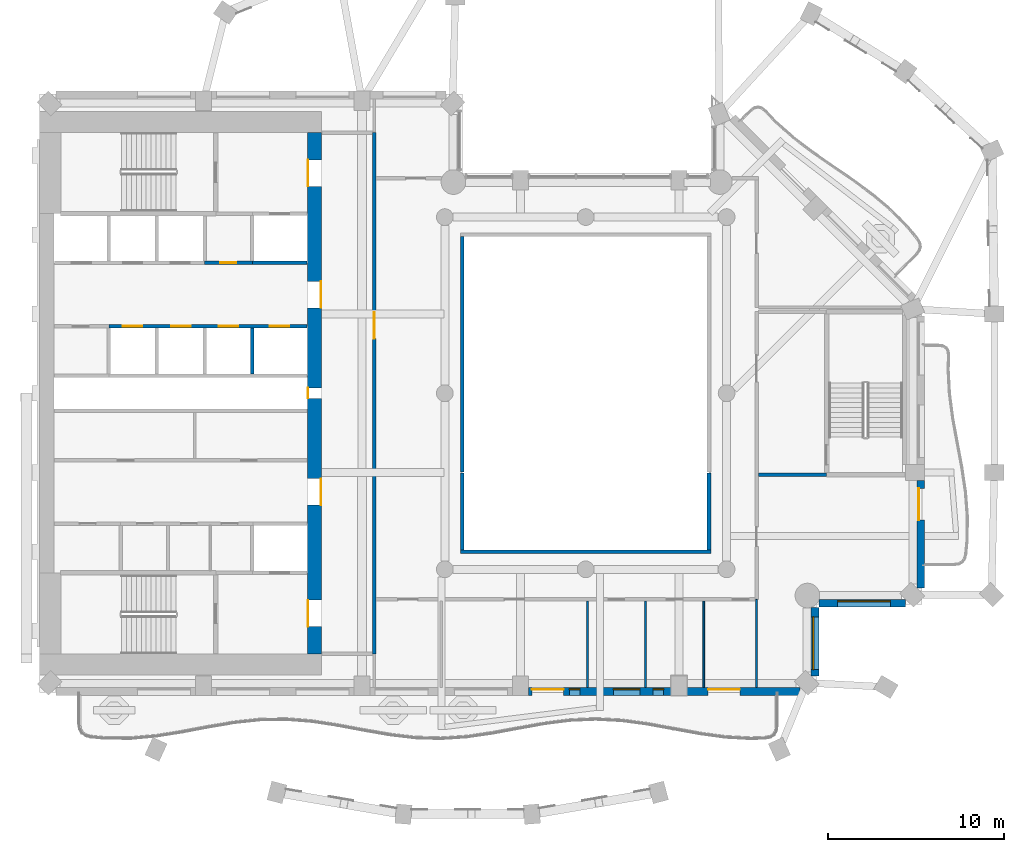
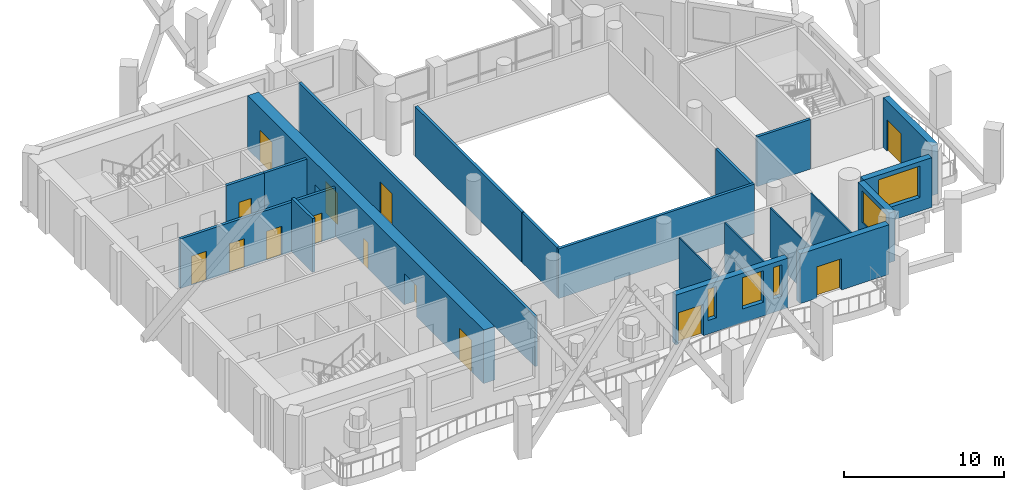
# One storey, part 5 of 17: 20 walls, 14 doors, 5 windows, 19 openings.
"""IFC4 building model written with IfcOpenShell, lengths in metres."""

from ifc_helpers import new_model, si_unit, direction, frame, frame_2d, origin, place, context, subcontext, project, spatial, rectangle, extrude, material, layer, layer_set, type_object, element, fill, save


model = new_model("IFC4")

# Units and contexts
model_context = context("Model", 3, precision=1e-05, world=origin(), true_north=direction((0.0, 1.0)))
body_context = subcontext(model_context, "Body", "Model", "MODEL_VIEW")
ifc_project = project(units=[si_unit("LENGTHUNIT", "METRE"), si_unit("AREAUNIT", "SQUARE_METRE"), si_unit("VOLUMEUNIT", "CUBIC_METRE"), si_unit("PLANEANGLEUNIT", "RADIAN"), si_unit("MASSUNIT", "GRAM", prefix="KILO")], contexts=[model_context])

# Site, building, storey
site_placement = place(None, origin())
site = spatial("IfcSite", under=ifc_project, at=site_placement, CompositionType="ELEMENT")
building_placement = place(site_placement, origin())
building = spatial("IfcBuilding", under=site, at=building_placement, Name="Cypress Arch Tower", CompositionType="ELEMENT")
storey_placement = place(building_placement, frame((0.0, 0.0, 217.89990234375)))
storey = spatial("IfcBuildingStorey", under=building, at=storey_placement, Name="L48", CompositionType="ELEMENT", Elevation=217.89990234375)

# Wall, openings, door, windows
ifc_material_1 = material(Name="Brick (red buff blend)", Category="masonry")
ifc_layer_1 = layer(ifc_material_1, 0.449951171875)
ifc_layer_set_1 = layer_set([ifc_layer_1], Name="Brick pier and spandrel wall BW450")
wall_type_1 = type_object("IfcWallType", Name="Brick pier and spandrel wall BW450", PredefinedType="SOLIDWALL", material=ifc_layer_set_1)
wall_1_placement = place(storey_placement, frame((-2.25, -16.925048828125, 0.0), z_axis=(0.0, 0.0, 1.0), x_axis=(1.0, 0.0, 0.0)))
wall_1 = element("IfcWall", 1, at=wall_1_placement, inside=storey, type_object=wall_type_1, Name="Brick wall L48 B01.3", PredefinedType="SOLIDWALL", context=body_context, shape_type="SweptSolid", body=[
    extrude(rectangle(XDim=8.10009765625, YDim=0.449951171875, at=frame_2d((4.050048828125, 0.0))), origin(), (0.0, 0.0, 1.0), 3.800048828125),
])
opening_1_placement = place(wall_1_placement, frame((0.199951171875, 0.0, 0.0)))
opening_1 = element("IfcOpeningElement", 2, at=opening_1_placement, cuts=wall_1, Name="Opening D-L48-B01.3.1", PredefinedType="OPENING", context=body_context, shape_type="SweptSolid", body=[
    extrude(rectangle(XDim=1.800048828125, YDim=2.39990234375, at=frame_2d((0.89990234375, 1.199951171875))), frame((0.0, 0.23486328125, 0.0), z_axis=(0.0, -1.0, 0.0), x_axis=(1.0, 0.0, 0.0)), (0.0, 0.0, 1.0), 0.469970703125),
])
opening_2_placement = place(wall_1_placement, frame((2.324951171875, 0.0, 1.050048828125)))
opening_2 = element("IfcOpeningElement", 3, at=opening_2_placement, cuts=wall_1, Name="Opening W060OD", PredefinedType="OPENING", context=body_context, shape_type="SweptSolid", body=[
    extrude(rectangle(XDim=0.60009765625, YDim=2.39990234375, at=frame_2d((0.300048828125, 1.199951171875))), frame((0.0, 0.23486328125, 0.0), z_axis=(0.0, -1.0, 0.0), x_axis=(1.0, 0.0, 0.0)), (0.0, 0.0, 1.0), 0.469970703125),
])
opening_3_placement = place(wall_1_placement, frame((4.824951171875, 0.0, 1.050048828125)))
opening_3 = element("IfcOpeningElement", 4, at=opening_3_placement, cuts=wall_1, Name="Opening W150OD", PredefinedType="OPENING", context=body_context, shape_type="SweptSolid", body=[
    extrude(rectangle(XDim=1.5, YDim=2.39990234375, at=frame_2d((0.75, 1.199951171875))), frame((0.0, 0.23486328125, 0.0), z_axis=(0.0, -1.0, 0.0), x_axis=(1.0, 0.0, 0.0)), (0.0, 0.0, 1.0), 0.469970703125),
])
opening_4_placement = place(wall_1_placement, frame((7.074951171875, 0.0, 1.050048828125)))
opening_4 = element("IfcOpeningElement", 5, at=opening_4_placement, cuts=wall_1, Name="Opening W060OD", PredefinedType="OPENING", context=body_context, shape_type="SweptSolid", body=[
    extrude(rectangle(XDim=0.60009765625, YDim=2.39990234375, at=frame_2d((0.300048828125, 1.199951171875))), frame((0.0, 0.23486328125, 0.0), z_axis=(0.0, -1.0, 0.0), x_axis=(1.0, 0.0, 0.0)), (0.0, 0.0, 1.0), 0.469970703125),
])
ifc_material_2 = material(Name="Anodised aluminium, bronze finish, laminated low-emissivity double glazing, large-missile impact rated", Category="aluminium")
door_type_1 = type_object("IfcDoorType", Name="Balcony sliding door 1800x2400", OperationType="SLIDING_TO_LEFT", PredefinedType="DOOR", material=ifc_material_2)
door_1_placement = place(opening_1_placement, origin())
door_1 = element("IfcDoor", 6, at=door_1_placement, inside=storey, type_object=door_type_1, Name="Balcony door L48 B01.3.1", OperationType="SLIDING_TO_LEFT", OverallHeight=2.39990234375, OverallWidth=1.800048828125, PredefinedType="DOOR", context=body_context, shape_type="SweptSolid", body=[
    extrude(rectangle(XDim=1.800048828125, YDim=2.39990234375, at=frame_2d((0.89990234375, 1.199951171875))), frame((0.0, 0.1298828125, 0.0), z_axis=(0.0, -1.0, 0.0), x_axis=(1.0, 0.0, 0.0)), (0.0, 0.0, 1.0), 0.050048828125),
])
fill(opening_1, door_1)
ifc_material_3 = material(Name="Anodised aluminium, bronze finish, laminated low-emissivity double glazing, large-missile impact rated", Category="aluminium")
window_type_1 = type_object("IfcWindowType", Name="Window Office 1500x2400 debris-rated", PartitioningType="SINGLE_PANEL", PredefinedType="WINDOW", material=ifc_material_3)
window_1_placement = place(opening_3_placement, origin())
window_1 = element("IfcWindow", 7, at=window_1_placement, inside=storey, type_object=window_type_1, Name="Window L48 B01.3.2", OverallHeight=2.39990234375, OverallWidth=1.5, PartitioningType="SINGLE_PANEL", PredefinedType="WINDOW", context=body_context, shape_type="SweptSolid", body=[
    extrude(rectangle(XDim=1.5, YDim=2.39990234375, at=frame_2d((0.75, 1.199951171875))), frame((0.0, 0.135009765625, 0.0), z_axis=(0.0, -1.0, 0.0), x_axis=(1.0, 0.0, 0.0)), (0.0, 0.0, 1.0), 0.06005859375),
])
fill(opening_3, window_1)
ifc_material_4 = material(Name="Anodised aluminium, bronze finish, laminated low-emissivity double glazing, large-missile impact rated", Category="aluminium")
window_type_2 = type_object("IfcWindowType", Name="Window Office 600x2400 debris-rated", PartitioningType="SINGLE_PANEL", PredefinedType="WINDOW", material=ifc_material_4)
window_2_placement = place(opening_2_placement, origin())
window_2 = element("IfcWindow", 8, at=window_2_placement, inside=storey, type_object=window_type_2, Name="Window L48 B01.3.1", OverallHeight=2.39990234375, OverallWidth=0.60009765625, PartitioningType="SINGLE_PANEL", PredefinedType="WINDOW", context=body_context, shape_type="SweptSolid", body=[
    extrude(rectangle(XDim=0.60009765625, YDim=2.39990234375, at=frame_2d((0.300048828125, 1.199951171875))), frame((0.0, 0.135009765625, 0.0), z_axis=(0.0, -1.0, 0.0), x_axis=(1.0, 0.0, 0.0)), (0.0, 0.0, 1.0), 0.06005859375),
])
fill(opening_2, window_2)
window_3_placement = place(opening_4_placement, origin())
window_3 = element("IfcWindow", 9, at=window_3_placement, inside=storey, type_object=window_type_2, Name="Window L48 B01.3.2b", OverallHeight=2.39990234375, OverallWidth=0.60009765625, PartitioningType="SINGLE_PANEL", PredefinedType="WINDOW", context=body_context, shape_type="SweptSolid", body=[
    extrude(rectangle(XDim=0.60009765625, YDim=2.39990234375, at=frame_2d((0.300048828125, 1.199951171875))), frame((0.0, 0.135009765625, 0.0), z_axis=(0.0, -1.0, 0.0), x_axis=(1.0, 0.0, 0.0)), (0.0, 0.0, 1.0), 0.06005859375),
])
fill(opening_4, window_3)

# Wall, opening, door
wall_2_placement = place(storey_placement, frame((6.75, -16.925048828125, 0.0), z_axis=(0.0, 0.0, 1.0), x_axis=(1.0, 0.0, 0.0)))
wall_2 = element("IfcWall", 10, at=wall_2_placement, inside=storey, type_object=wall_type_1, Name="Brick wall L48 B01.4", PredefinedType="SOLIDWALL", context=body_context, shape_type="SweptSolid", body=[
    extrude(rectangle(XDim=6.41357421875, YDim=0.449951171875, at=frame_2d((3.206787109375, 0.0))), origin(), (0.0, 0.0, 1.0), 3.800048828125),
])
opening_5_placement = place(wall_2_placement, frame((1.199951171875, 0.0, 0.0)))
opening_5 = element("IfcOpeningElement", 11, at=opening_5_placement, cuts=wall_2, Name="Opening D-L48-B01.4.1", PredefinedType="OPENING", context=body_context, shape_type="SweptSolid", body=[
    extrude(rectangle(XDim=1.800048828125, YDim=2.39990234375, at=frame_2d((0.89990234375, 1.199951171875))), frame((0.0, 0.23486328125, 0.0), z_axis=(0.0, -1.0, 0.0), x_axis=(1.0, 0.0, 0.0)), (0.0, 0.0, 1.0), 0.469970703125),
])
door_2_placement = place(opening_5_placement, origin())
door_2 = element("IfcDoor", 12, at=door_2_placement, inside=storey, type_object=door_type_1, Name="Balcony door L48 B01.4.1", OperationType="SLIDING_TO_LEFT", OverallHeight=2.39990234375, OverallWidth=1.800048828125, PredefinedType="DOOR", context=body_context, shape_type="SweptSolid", body=[
    extrude(rectangle(XDim=1.800048828125, YDim=2.39990234375, at=frame_2d((0.89990234375, 1.199951171875))), frame((0.0, 0.1298828125, 0.0), z_axis=(0.0, -1.0, 0.0), x_axis=(1.0, 0.0, 0.0)), (0.0, 0.0, 1.0), 0.050048828125),
])
fill(opening_5, door_2)

# Wall, opening, window
wall_3_placement = place(storey_placement, frame((14.02490234375, -16.063720703125, 0.0), z_axis=(0.0, 0.0, 1.0), x_axis=(0.0, 1.0, 0.0)))
wall_3 = element("IfcWall", 13, at=wall_3_placement, inside=storey, type_object=wall_type_1, Name="Brick wall L48 B02.0", PredefinedType="SOLIDWALL", context=body_context, shape_type="SweptSolid", body=[
    extrude(rectangle(XDim=3.9091796875, YDim=0.449951171875, at=frame_2d((1.95458984375, 0.0))), origin(), (0.0, 0.0, 1.0), 3.800048828125),
])
opening_6_placement = place(wall_3_placement, frame((0.363525390625, 0.0, 1.050048828125)))
opening_6 = element("IfcOpeningElement", 14, at=opening_6_placement, cuts=wall_3, Name="Opening W300O", PredefinedType="OPENING", context=body_context, shape_type="SweptSolid", body=[
    extrude(rectangle(XDim=3.0, YDim=2.39990234375, at=frame_2d((1.5, 1.199951171875))), frame((0.0, 0.23486328125, 0.0), z_axis=(0.0, -1.0, 0.0), x_axis=(1.0, 0.0, 0.0)), (0.0, 0.0, 1.0), 0.469970703125),
])
ifc_material_5 = material(Name="Anodised aluminium, bronze finish, clear low-emissivity double glazing", Category="aluminium")
window_type_3 = type_object("IfcWindowType", Name="Window Office 3000x2400", PartitioningType="SINGLE_PANEL", PredefinedType="WINDOW", material=ifc_material_5)
window_4_placement = place(opening_6_placement, origin())
window_4 = element("IfcWindow", 15, at=window_4_placement, inside=storey, type_object=window_type_3, Name="Window L48 B02.0.1", OverallHeight=2.39990234375, OverallWidth=3.0, PartitioningType="SINGLE_PANEL", PredefinedType="WINDOW", context=body_context, shape_type="SweptSolid", body=[
    extrude(rectangle(XDim=3.0, YDim=2.39990234375, at=frame_2d((1.5, 1.199951171875))), frame((0.0, 0.135009765625, 0.0), z_axis=(0.0, -1.0, 0.0), x_axis=(1.0, 0.0, 0.0)), (0.0, 0.0, 1.0), 0.06005859375),
])
fill(opening_6, window_4)

wall_4_placement = place(storey_placement, frame((14.254638671875, -11.925048828125, 0.0), z_axis=(0.0, 0.0, 1.0), x_axis=(1.0, 0.0, 0.0)))
wall_4 = element("IfcWall", 16, at=wall_4_placement, inside=storey, type_object=wall_type_1, Name="Brick wall L48 B03.0", PredefinedType="SOLIDWALL", context=body_context, shape_type="SweptSolid", body=[
    extrude(rectangle(XDim=4.908935546875, YDim=0.449951171875, at=frame_2d((2.45458984375, 0.0))), origin(), (0.0, 0.0, 1.0), 3.800048828125),
])
opening_7_placement = place(wall_4_placement, frame((1.04541015625, 0.0, 1.050048828125)))
opening_7 = element("IfcOpeningElement", 17, at=opening_7_placement, cuts=wall_4, Name="Opening W300O", PredefinedType="OPENING", context=body_context, shape_type="SweptSolid", body=[
    extrude(rectangle(XDim=3.0, YDim=2.39990234375, at=frame_2d((1.5, 1.199951171875))), frame((0.0, 0.23486328125, 0.0), z_axis=(0.0, -1.0, 0.0), x_axis=(1.0, 0.0, 0.0)), (0.0, 0.0, 1.0), 0.469970703125),
])
window_5_placement = place(opening_7_placement, origin())
window_5 = element("IfcWindow", 18, at=window_5_placement, inside=storey, type_object=window_type_3, Name="Window L48 B03.0.1", OverallHeight=2.39990234375, OverallWidth=3.0, PartitioningType="SINGLE_PANEL", PredefinedType="WINDOW", context=body_context, shape_type="SweptSolid", body=[
    extrude(rectangle(XDim=3.0, YDim=2.39990234375, at=frame_2d((1.5, 1.199951171875))), frame((0.0, 0.135009765625, 0.0), z_axis=(0.0, -1.0, 0.0), x_axis=(1.0, 0.0, 0.0)), (0.0, 0.0, 1.0), 0.06005859375),
])
fill(opening_7, window_5)

# Wall, opening, door
wall_5_placement = place(storey_placement, frame((20.02490234375, -11.063720703125, 0.0), z_axis=(0.0, 0.0, 1.0), x_axis=(0.0, 1.0, 0.0)))
wall_5 = element("IfcWall", 19, at=wall_5_placement, inside=storey, type_object=wall_type_1, Name="Brick wall L48 B04.0", PredefinedType="SOLIDWALL", context=body_context, shape_type="SweptSolid", body=[
    extrude(rectangle(XDim=6.11376953125, YDim=0.449951171875, at=frame_2d((3.056884765625, 0.0))), origin(), (0.0, 0.0, 1.0), 3.800048828125),
])
opening_8_placement = place(wall_5_placement, frame((3.863525390625, 0.0, 0.0)))
opening_8 = element("IfcOpeningElement", 20, at=opening_8_placement, cuts=wall_5, Name="Opening D-L48-B04.0.2", PredefinedType="OPENING", context=body_context, shape_type="SweptSolid", body=[
    extrude(rectangle(XDim=1.800048828125, YDim=2.39990234375, at=frame_2d((0.89990234375, 1.199951171875))), frame((0.0, 0.23486328125, 0.0), z_axis=(0.0, -1.0, 0.0), x_axis=(1.0, 0.0, 0.0)), (0.0, 0.0, 1.0), 0.469970703125),
])
door_3_placement = place(opening_8_placement, origin())
door_3 = element("IfcDoor", 21, at=door_3_placement, inside=storey, type_object=door_type_1, Name="Balcony door L48 B04.0.2", OperationType="SLIDING_TO_LEFT", OverallHeight=2.39990234375, OverallWidth=1.800048828125, PredefinedType="DOOR", context=body_context, shape_type="SweptSolid", body=[
    extrude(rectangle(XDim=1.800048828125, YDim=2.39990234375, at=frame_2d((0.89990234375, 1.199951171875))), frame((0.0, 0.1298828125, 0.0), z_axis=(0.0, -1.0, 0.0), x_axis=(1.0, 0.0, 0.0)), (0.0, 0.0, 1.0), 0.050048828125),
])
fill(opening_8, door_3)

# Wall, openings, doors
ifc_material_6 = material(Name="Concrete C70/85", Category="concrete")
ifc_layer_2 = layer(ifc_material_6, 0.800048828125)
ifc_layer_set_2 = layer_set([ifc_layer_2], Name="Core wall CW800 C70/85")
wall_type_2 = type_object("IfcWallType", Name="Core wall CW800 C70/85", PredefinedType="SHEAR", material=ifc_layer_set_2)
wall_6_placement = place(storey_placement, frame((-14.39990234375, -14.800048828125, 0.0), z_axis=(0.0, 0.0, 1.0), x_axis=(0.0, 1.0, 0.0)))
wall_6 = element("IfcWall", 22, at=wall_6_placement, inside=storey, type_object=wall_type_2, Name="Core wall", PredefinedType="SHEAR", context=body_context, shape_type="SweptSolid", body=[
    extrude(rectangle(XDim=29.60009765625, YDim=0.800048828125, at=frame_2d((14.800048828125, 0.0))), origin(), (0.0, 0.0, 1.0), 4.10009765625),
])
opening_9_placement = place(wall_6_placement, frame((1.550048828125, 0.0, 0.0)))
opening_9 = element("IfcOpeningElement", 23, at=opening_9_placement, cuts=wall_6, Name="Opening D07", PredefinedType="OPENING", context=body_context, shape_type="SweptSolid", body=[
    extrude(rectangle(XDim=1.5, YDim=2.39990234375, at=frame_2d((0.75, 1.199951171875))), frame((0.0, 0.409912109375, 0.0), z_axis=(0.0, -1.0, 0.0), x_axis=(1.0, 0.0, 0.0)), (0.0, 0.0, 1.0), 0.820068359375),
])
opening_10_placement = place(wall_6_placement, frame((26.550048828125, 0.0, 0.0)))
opening_10 = element("IfcOpeningElement", 24, at=opening_10_placement, cuts=wall_6, Name="Opening D07", PredefinedType="OPENING", context=body_context, shape_type="SweptSolid", body=[
    extrude(rectangle(XDim=1.5, YDim=2.39990234375, at=frame_2d((0.75, 1.199951171875))), frame((0.0, 0.409912109375, 0.0), z_axis=(0.0, -1.0, 0.0), x_axis=(1.0, 0.0, 0.0)), (0.0, 0.0, 1.0), 0.820068359375),
])
opening_11_placement = place(wall_6_placement, frame((8.449951171875, 0.0, 0.0)))
opening_11 = element("IfcOpeningElement", 25, at=opening_11_placement, cuts=wall_6, Name="Opening D07", PredefinedType="OPENING", context=body_context, shape_type="SweptSolid", body=[
    extrude(rectangle(XDim=1.5, YDim=2.39990234375, at=frame_2d((0.75, 1.199951171875))), frame((0.0, 0.409912109375, 0.0), z_axis=(0.0, -1.0, 0.0), x_axis=(1.0, 0.0, 0.0)), (0.0, 0.0, 1.0), 0.820068359375),
])
opening_12_placement = place(wall_6_placement, frame((19.64990234375, 0.0, 0.0)))
opening_12 = element("IfcOpeningElement", 26, at=opening_12_placement, cuts=wall_6, Name="Opening D07", PredefinedType="OPENING", context=body_context, shape_type="SweptSolid", body=[
    extrude(rectangle(XDim=1.5, YDim=2.39990234375, at=frame_2d((0.75, 1.199951171875))), frame((0.0, 0.409912109375, 0.0), z_axis=(0.0, -1.0, 0.0), x_axis=(1.0, 0.0, 0.0)), (0.0, 0.0, 1.0), 0.820068359375),
])
opening_13_placement = place(wall_6_placement, frame((14.5, 0.0, 0.0)))
opening_13 = element("IfcOpeningElement", 27, at=opening_13_placement, cuts=wall_6, Name="Opening D08", PredefinedType="OPENING", context=body_context, shape_type="SweptSolid", body=[
    extrude(rectangle(XDim=0.60009765625, YDim=2.0, at=frame_2d((0.300048828125, 1.0))), frame((0.0, 0.409912109375, 0.0), z_axis=(0.0, -1.0, 0.0), x_axis=(1.0, 0.0, 0.0)), (0.0, 0.0, 1.0), 0.820068359375),
])
ifc_material_7 = material(Name="Steel framed glazed door, fire resisting", Category="steel")
door_type_2 = type_object("IfcDoorType", Name="Lobby door D07 1500x2400", OperationType="DOUBLE_DOOR_SINGLE_SWING", PredefinedType="DOOR", material=ifc_material_7)
door_4_placement = place(opening_9_placement, origin())
door_4 = element("IfcDoor", 28, at=door_4_placement, inside=storey, type_object=door_type_2, Name="Lobby door", OperationType="DOUBLE_DOOR_SINGLE_SWING", OverallHeight=2.39990234375, OverallWidth=1.5, PredefinedType="DOOR", context=body_context, shape_type="SweptSolid", body=[
    extrude(rectangle(XDim=1.5, YDim=2.39990234375, at=frame_2d((0.75, 1.199951171875))), frame((0.0, 0.39501953125, 0.0), z_axis=(0.0, -1.0, 0.0), x_axis=(1.0, 0.0, 0.0)), (0.0, 0.0, 1.0), 0.050048828125),
])
fill(opening_9, door_4)
door_5_placement = place(opening_10_placement, origin())
door_5 = element("IfcDoor", 29, at=door_5_placement, inside=storey, type_object=door_type_2, Name="Lobby door", OperationType="DOUBLE_DOOR_SINGLE_SWING", OverallHeight=2.39990234375, OverallWidth=1.5, PredefinedType="DOOR", context=body_context, shape_type="SweptSolid", body=[
    extrude(rectangle(XDim=1.5, YDim=2.39990234375, at=frame_2d((0.75, 1.199951171875))), frame((0.0, 0.39501953125, 0.0), z_axis=(0.0, -1.0, 0.0), x_axis=(1.0, 0.0, 0.0)), (0.0, 0.0, 1.0), 0.050048828125),
])
fill(opening_10, door_5)
door_6_placement = place(opening_11_placement, origin())
door_6 = element("IfcDoor", 30, at=door_6_placement, inside=storey, type_object=door_type_2, Name="Lobby door", OperationType="DOUBLE_DOOR_SINGLE_SWING", OverallHeight=2.39990234375, OverallWidth=1.5, PredefinedType="DOOR", context=body_context, shape_type="SweptSolid", body=[
    extrude(rectangle(XDim=1.5, YDim=2.39990234375, at=frame_2d((0.75, 1.199951171875))), frame((0.0, -0.34521484375, 0.0), z_axis=(0.0, -1.0, 0.0), x_axis=(1.0, 0.0, 0.0)), (0.0, 0.0, 1.0), 0.050048828125),
])
fill(opening_11, door_6)
door_7_placement = place(opening_12_placement, origin())
door_7 = element("IfcDoor", 31, at=door_7_placement, inside=storey, type_object=door_type_2, Name="Lobby door", OperationType="DOUBLE_DOOR_SINGLE_SWING", OverallHeight=2.39990234375, OverallWidth=1.5, PredefinedType="DOOR", context=body_context, shape_type="SweptSolid", body=[
    extrude(rectangle(XDim=1.5, YDim=2.39990234375, at=frame_2d((0.75, 1.199951171875))), frame((0.0, -0.34521484375, 0.0), z_axis=(0.0, -1.0, 0.0), x_axis=(1.0, 0.0, 0.0)), (0.0, 0.0, 1.0), 0.050048828125),
])
fill(opening_12, door_7)
ifc_material_8 = material(Name="Steel access door, fire resisting", Category="steel")
door_type_3 = type_object("IfcDoorType", Name="Riser access door D08 600x2000", OperationType="SINGLE_SWING_LEFT", PredefinedType="DOOR", material=ifc_material_8)
door_8_placement = place(opening_13_placement, origin())
door_8 = element("IfcDoor", 32, at=door_8_placement, inside=storey, type_object=door_type_3, Name="Riser access door", OperationType="SINGLE_SWING_RIGHT", OverallHeight=2.0, OverallWidth=0.60009765625, PredefinedType="DOOR", context=body_context, shape_type="SweptSolid", body=[
    extrude(rectangle(XDim=0.60009765625, YDim=2.0, at=frame_2d((0.300048828125, 1.0))), frame((0.0, 0.39501953125, 0.0), z_axis=(0.0, -1.0, 0.0), x_axis=(1.0, 0.0, 0.0)), (0.0, 0.0, 1.0), 0.050048828125),
])
fill(opening_13, door_8)

# Wall, opening, door
ifc_material_9 = material(Name="Concrete blockwork, plastered, rated", Category="masonry")
ifc_layer_3 = layer(ifc_material_9, 0.199951171875)
ifc_layer_set_3 = layer_set([ifc_layer_3], Name="Corridor wall FW200")
wall_type_3 = type_object("IfcWallType", Name="Corridor wall FW200", PredefinedType="PARTITIONING", material=ifc_layer_set_3)
wall_7_placement = place(storey_placement, frame((-20.639892578125, 7.39990234375, 0.0), z_axis=(0.0, 0.0, 1.0), x_axis=(1.0, 0.0, 0.0)))
wall_7 = element("IfcWall", 33, at=wall_7_placement, inside=storey, type_object=wall_type_3, Name="Corridor wall", PredefinedType="PARTITIONING", context=body_context, shape_type="SweptSolid", body=[
    extrude(rectangle(XDim=2.719970703125, YDim=0.199951171875, at=frame_2d((1.35986328125, 0.0))), origin(), (0.0, 0.0, 1.0), 3.800048828125),
])
opening_14_placement = place(wall_7_placement, frame((0.89990234375, 0.0, 0.0)))
opening_14 = element("IfcOpeningElement", 34, at=opening_14_placement, cuts=wall_7, Name="Opening D05", PredefinedType="OPENING", context=body_context, shape_type="SweptSolid", body=[
    extrude(rectangle(XDim=0.89990234375, YDim=2.199951171875, at=frame_2d((0.449951171875, 1.10009765625))), frame((0.0, 0.10986328125, 0.0), z_axis=(0.0, -1.0, 0.0), x_axis=(1.0, 0.0, 0.0)), (0.0, 0.0, 1.0), 0.219970703125),
])
ifc_material_10 = material(Name="Timber flush door", Category="wood")
door_type_4 = type_object("IfcDoorType", Name="Service door D05 900x2200", OperationType="SINGLE_SWING_LEFT", PredefinedType="DOOR", material=ifc_material_10)
door_9_placement = place(opening_14_placement, origin())
door_9 = element("IfcDoor", 35, at=door_9_placement, inside=storey, type_object=door_type_4, Name="Service door", OperationType="SINGLE_SWING_LEFT", OverallHeight=2.199951171875, OverallWidth=0.89990234375, PredefinedType="DOOR", context=body_context, shape_type="SweptSolid", body=[
    extrude(rectangle(XDim=0.89990234375, YDim=2.199951171875, at=frame_2d((0.449951171875, 1.10009765625))), frame((0.0, 0.02490234375, 0.0), z_axis=(0.0, -1.0, 0.0), x_axis=(1.0, 0.0, 0.0)), (0.0, 0.0, 1.0), 0.050048828125),
])
fill(opening_14, door_9)

wall_8_placement = place(storey_placement, frame((-11.0, -14.800048828125, 0.0), z_axis=(0.0, 0.0, 1.0), x_axis=(0.0, 1.0, 0.0)))
wall_8 = element("IfcWall", 36, at=wall_8_placement, inside=storey, type_object=wall_type_3, Name="Corridor wall", PredefinedType="PARTITIONING", context=body_context, shape_type="SweptSolid", body=[
    extrude(rectangle(XDim=29.60009765625, YDim=0.199951171875, at=frame_2d((14.800048828125, 0.0))), origin(), (0.0, 0.0, 1.0), 3.800048828125),
])
opening_15_placement = place(wall_8_placement, frame((17.89990234375, 0.0, 0.0)))
opening_15 = element("IfcOpeningElement", 37, at=opening_15_placement, cuts=wall_8, Name="Opening D07", PredefinedType="OPENING", context=body_context, shape_type="SweptSolid", body=[
    extrude(rectangle(XDim=1.5, YDim=2.39990234375, at=frame_2d((0.75, 1.199951171875))), frame((0.0, 0.10986328125, 0.0), z_axis=(0.0, -1.0, 0.0), x_axis=(1.0, 0.0, 0.0)), (0.0, 0.0, 1.0), 0.219970703125),
])
door_10_placement = place(opening_15_placement, origin())
door_10 = element("IfcDoor", 38, at=door_10_placement, inside=storey, type_object=door_type_2, Name="Lobby door", OperationType="DOUBLE_DOOR_SINGLE_SWING", OverallHeight=2.39990234375, OverallWidth=1.5, PredefinedType="DOOR", context=body_context, shape_type="SweptSolid", body=[
    extrude(rectangle(XDim=1.5, YDim=2.39990234375, at=frame_2d((0.75, 1.199951171875))), frame((0.0, 0.02490234375, 0.0), z_axis=(0.0, -1.0, 0.0), x_axis=(1.0, 0.0, 0.0)), (0.0, 0.0, 1.0), 0.050048828125),
])
fill(opening_15, door_10)

# Walls
wall_9_placement = place(storey_placement, frame((-6.0, -8.89990234375, 0.0), z_axis=(0.0, 0.0, 1.0), x_axis=(0.0, 1.0, 0.0)))
element("IfcWall", 39, at=wall_9_placement, inside=storey, type_object=wall_type_3, Name="Corridor wall", PredefinedType="PARTITIONING", context=body_context, shape_type="SweptSolid", body=[
    extrude(rectangle(XDim=4.3798828125, YDim=0.199951171875, at=frame_2d((2.18994140625, 0.0))), origin(), (0.0, 0.0, 1.0), 3.800048828125),
])
wall_10_placement = place(storey_placement, frame((-6.10009765625, -9.0, 0.0), z_axis=(0.0, 0.0, 1.0), x_axis=(1.0, 0.0, 0.0)))
element("IfcWall", 40, at=wall_10_placement, inside=storey, type_object=wall_type_3, Name="Corridor wall", PredefinedType="PARTITIONING", context=body_context, shape_type="SweptSolid", body=[
    extrude(rectangle(XDim=14.2001953125, YDim=0.199951171875, at=frame_2d((7.10009765625, 0.0))), origin(), (0.0, 0.0, 1.0), 3.800048828125),
])
wall_11_placement = place(storey_placement, frame((-6.0, -4.47998046875, 0.0), z_axis=(0.0, 0.0, 1.0), x_axis=(0.0, 1.0, 0.0)))
element("IfcWall", 41, at=wall_11_placement, inside=storey, type_object=wall_type_3, Name="Corridor wall", PredefinedType="PARTITIONING", context=body_context, shape_type="SweptSolid", body=[
    extrude(rectangle(XDim=13.3798828125, YDim=0.199951171875, at=frame_2d((6.68994140625, 0.0))), origin(), (0.0, 0.0, 1.0), 3.800048828125),
])
wall_12_placement = place(storey_placement, frame((8.0, -8.89990234375, 0.0), z_axis=(0.0, 0.0, 1.0), x_axis=(0.0, 1.0, 0.0)))
element("IfcWall", 42, at=wall_12_placement, inside=storey, type_object=wall_type_3, Name="Corridor wall", PredefinedType="PARTITIONING", context=body_context, shape_type="SweptSolid", body=[
    extrude(rectangle(XDim=4.3798828125, YDim=0.199951171875, at=frame_2d((2.18994140625, 0.0))), origin(), (0.0, 0.0, 1.0), 3.800048828125),
])
wall_13_placement = place(storey_placement, frame((10.800048828125, -4.625, 0.0), z_axis=(0.0, 0.0, 1.0), x_axis=(1.0, 0.0, 0.0)))
element("IfcWall", 43, at=wall_13_placement, inside=storey, type_object=wall_type_3, Name="Corridor wall", PredefinedType="PARTITIONING", context=body_context, shape_type="SweptSolid", body=[
    extrude(rectangle(XDim=3.875, YDim=0.199951171875, at=frame_2d((1.9375, 0.0))), origin(), (0.0, 0.0, 1.0), 3.800048828125),
])

# Wall, openings, doors
ifc_material_11 = material(Name="Concrete C50/60", Category="concrete")
ifc_layer_4 = layer(ifc_material_11, 0.199951171875)
ifc_layer_set_4 = layer_set([ifc_layer_4], Name="Shaft wall SH200")
wall_type_4 = type_object("IfcWallType", Name="Shaft wall SH200", PredefinedType="SHEAR", material=ifc_layer_set_4)
wall_14_placement = place(storey_placement, frame((-26.080078125, 3.800048828125, 0.0), z_axis=(0.0, 0.0, 1.0), x_axis=(1.0, 0.0, 0.0)))
wall_14 = element("IfcWall", 44, at=wall_14_placement, inside=storey, type_object=wall_type_4, Name="Shaft wall", PredefinedType="SHEAR", context=body_context, shape_type="SweptSolid", body=[
    extrude(rectangle(XDim=11.25, YDim=0.199951171875, at=frame_2d((5.625, 0.0))), origin(), (0.0, 0.0, 1.0), 3.800048828125),
])
opening_16_placement = place(wall_14_placement, frame((0.800048828125, 0.0, 0.0)))
opening_16 = element("IfcOpeningElement", 45, at=opening_16_placement, cuts=wall_14, Name="Opening LD-HR1", PredefinedType="OPENING", context=body_context, shape_type="SweptSolid", body=[
    extrude(rectangle(XDim=1.10009765625, YDim=2.199951171875, at=frame_2d((0.550048828125, 1.10009765625))), frame((0.0, 0.10986328125, 0.0), z_axis=(0.0, -1.0, 0.0), x_axis=(1.0, 0.0, 0.0)), (0.0, 0.0, 1.0), 0.219970703125),
])
opening_17_placement = place(wall_14_placement, frame((3.550048828125, 0.0, 0.0)))
opening_17 = element("IfcOpeningElement", 46, at=opening_17_placement, cuts=wall_14, Name="Opening LD-HR2", PredefinedType="OPENING", context=body_context, shape_type="SweptSolid", body=[
    extrude(rectangle(XDim=1.10009765625, YDim=2.199951171875, at=frame_2d((0.550048828125, 1.10009765625))), frame((0.0, 0.10986328125, 0.0), z_axis=(0.0, -1.0, 0.0), x_axis=(1.0, 0.0, 0.0)), (0.0, 0.0, 1.0), 0.219970703125),
])
opening_18_placement = place(wall_14_placement, frame((6.25, 0.0, 0.0)))
opening_18 = element("IfcOpeningElement", 47, at=opening_18_placement, cuts=wall_14, Name="Opening LD-HR3", PredefinedType="OPENING", context=body_context, shape_type="SweptSolid", body=[
    extrude(rectangle(XDim=1.10009765625, YDim=2.199951171875, at=frame_2d((0.550048828125, 1.10009765625))), frame((0.0, 0.10986328125, 0.0), z_axis=(0.0, -1.0, 0.0), x_axis=(1.0, 0.0, 0.0)), (0.0, 0.0, 1.0), 0.219970703125),
])
opening_19_placement = place(wall_14_placement, frame((9.14990234375, 0.0, 0.0)))
opening_19 = element("IfcOpeningElement", 48, at=opening_19_placement, cuts=wall_14, Name="Opening LD-HR4", PredefinedType="OPENING", context=body_context, shape_type="SweptSolid", body=[
    extrude(rectangle(XDim=1.10009765625, YDim=2.199951171875, at=frame_2d((0.550048828125, 1.10009765625))), frame((0.0, 0.10986328125, 0.0), z_axis=(0.0, -1.0, 0.0), x_axis=(1.0, 0.0, 0.0)), (0.0, 0.0, 1.0), 0.219970703125),
])
ifc_material_12 = material(Name="Stainless steel centre-opening landing door, rated", Category="steel")
door_type_5 = type_object("IfcDoorType", Name="Lift landing door LD 1100x2200", OperationType="DOUBLE_DOOR_SLIDING", PredefinedType="DOOR", material=ifc_material_12)
door_11_placement = place(opening_16_placement, origin())
door_11 = element("IfcDoor", 49, at=door_11_placement, inside=storey, type_object=door_type_5, Name="Lift landing doors HR1", OperationType="DOUBLE_DOOR_SLIDING", OverallHeight=2.199951171875, OverallWidth=1.10009765625, PredefinedType="DOOR", context=body_context, shape_type="SweptSolid", body=[
    extrude(rectangle(XDim=1.10009765625, YDim=2.199951171875, at=frame_2d((0.550048828125, 1.10009765625))), frame((0.0, 0.02490234375, 0.0), z_axis=(0.0, -1.0, 0.0), x_axis=(1.0, 0.0, 0.0)), (0.0, 0.0, 1.0), 0.050048828125),
])
fill(opening_16, door_11)
door_12_placement = place(opening_17_placement, origin())
door_12 = element("IfcDoor", 50, at=door_12_placement, inside=storey, type_object=door_type_5, Name="Lift landing doors HR2", OperationType="DOUBLE_DOOR_SLIDING", OverallHeight=2.199951171875, OverallWidth=1.10009765625, PredefinedType="DOOR", context=body_context, shape_type="SweptSolid", body=[
    extrude(rectangle(XDim=1.10009765625, YDim=2.199951171875, at=frame_2d((0.550048828125, 1.10009765625))), frame((0.0, 0.02490234375, 0.0), z_axis=(0.0, -1.0, 0.0), x_axis=(1.0, 0.0, 0.0)), (0.0, 0.0, 1.0), 0.050048828125),
])
fill(opening_17, door_12)
door_13_placement = place(opening_18_placement, origin())
door_13 = element("IfcDoor", 51, at=door_13_placement, inside=storey, type_object=door_type_5, Name="Lift landing doors HR3", OperationType="DOUBLE_DOOR_SLIDING", OverallHeight=2.199951171875, OverallWidth=1.10009765625, PredefinedType="DOOR", context=body_context, shape_type="SweptSolid", body=[
    extrude(rectangle(XDim=1.10009765625, YDim=2.199951171875, at=frame_2d((0.550048828125, 1.10009765625))), frame((0.0, 0.02490234375, 0.0), z_axis=(0.0, -1.0, 0.0), x_axis=(1.0, 0.0, 0.0)), (0.0, 0.0, 1.0), 0.050048828125),
])
fill(opening_18, door_13)
door_14_placement = place(opening_19_placement, origin())
door_14 = element("IfcDoor", 52, at=door_14_placement, inside=storey, type_object=door_type_5, Name="Lift landing doors HR4", OperationType="DOUBLE_DOOR_SLIDING", OverallHeight=2.199951171875, OverallWidth=1.10009765625, PredefinedType="DOOR", context=body_context, shape_type="SweptSolid", body=[
    extrude(rectangle(XDim=1.10009765625, YDim=2.199951171875, at=frame_2d((0.550048828125, 1.10009765625))), frame((0.0, 0.02490234375, 0.0), z_axis=(0.0, -1.0, 0.0), x_axis=(1.0, 0.0, 0.0)), (0.0, 0.0, 1.0), 0.050048828125),
])
fill(opening_19, door_14)

# Walls
wall_15_placement = place(storey_placement, frame((-17.919921875, 1.10009765625, 0.0), z_axis=(0.0, 0.0, 1.0), x_axis=(0.0, 1.0, 0.0)))
element("IfcWall", 53, at=wall_15_placement, inside=storey, type_object=wall_type_4, Name="Shaft wall", PredefinedType="SHEAR", context=body_context, shape_type="SweptSolid", body=[
    extrude(rectangle(XDim=2.599853515625, YDim=0.199951171875, at=frame_2d((1.2998046875, 0.0))), origin(), (0.0, 0.0, 1.0), 4.10009765625),
])
wall_16_placement = place(storey_placement, frame((-17.919921875, 7.39990234375, 0.0), z_axis=(0.0, 0.0, 1.0), x_axis=(1.0, 0.0, 0.0)))
element("IfcWall", 54, at=wall_16_placement, inside=storey, type_object=wall_type_4, Name="Shaft wall", PredefinedType="SHEAR", context=body_context, shape_type="SweptSolid", body=[
    extrude(rectangle(XDim=3.08984375, YDim=0.199951171875, at=frame_2d((1.544921875, 0.0))), origin(), (0.0, 0.0, 1.0), 3.800048828125),
])
ifc_material_13 = material(Name="Moisture resistant board on steel studs, tiled", Category="steel")
ifc_layer_5 = layer(ifc_material_13, 0.10009765625)
ifc_layer_set_5 = layer_set([ifc_layer_5], Name="Wet wall PW100")
wall_type_5 = type_object("IfcWallType", Name="Wet wall PW100", PredefinedType="PARTITIONING", material=ifc_layer_set_5)
for number, where, z_axis, x_axis, name in (
    (55, (1.10009765625, -16.699951171875, 0.0), (0.0, 0.0, 1.0), (0.0, 1.0, 0.0), "Wet wall"),
    (56, (4.39990234375, -16.699951171875, 0.0), (0.0, 0.0, 1.0), (0.0, 1.0, 0.0), "Wet wall"),
    (57, (7.699951171875, -16.699951171875, 0.0), (0.0, 0.0, 1.0), (0.0, 1.0, 0.0), "Wet wall"),
):
    element("IfcWall", number, at=place(storey_placement, frame(where, z_axis=z_axis, x_axis=x_axis)), inside=storey, type_object=wall_type_5, Name=name, PredefinedType="PARTITIONING", context=body_context, shape_type="SweptSolid", body=[
        extrude(rectangle(XDim=4.89990234375, YDim=0.10009765625, at=frame_2d((2.449951171875, 0.0))), origin(), (0.0, 0.0, 1.0), 3.800048828125),
    ])
wall_17_placement = place(storey_placement, frame((10.699951171875, -16.699951171875, 0.0), z_axis=(0.0, 0.0, 1.0), x_axis=(0.0, 1.0, 0.0)))
element("IfcWall", 58, at=wall_17_placement, inside=storey, type_object=wall_type_5, Name="Wet wall", PredefinedType="PARTITIONING", context=body_context, shape_type="SweptSolid", body=[
    extrude(rectangle(XDim=5.0, YDim=0.10009765625, at=frame_2d((2.5, 0.0))), origin(), (0.0, 0.0, 1.0), 3.800048828125),
])

save(model, "model.ifc")
